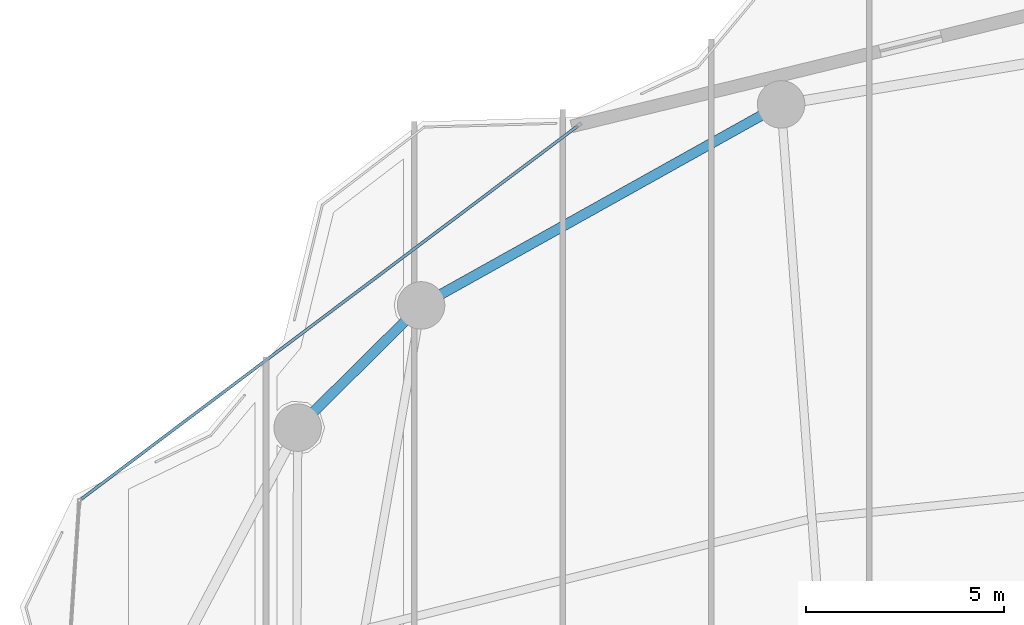
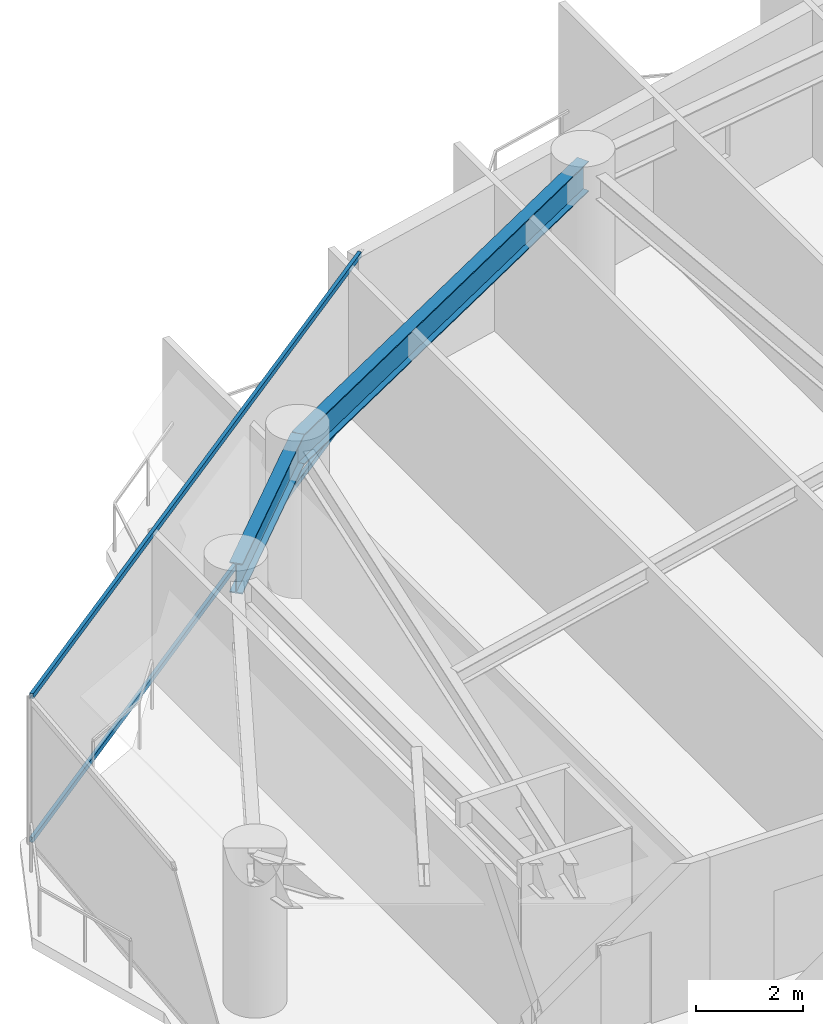
# One storey, part 17 of 31: 2 beams, 2 members, 1 element without a shape of its own.
"""IFC4 building model written with IfcOpenShell, lengths in metres."""

from ifc_helpers import new_model, si_unit, direction, frame, origin, origin_2d, place, context, subcontext, project, spatial, hollow_rectangle, i_section, extrude, material, layer, layer_set, material_profile, profile_set, type_object, element, aggregate, save


model = new_model("IFC4")

# Units and contexts
model_context = context("Model", 3, precision=1e-05, world=origin(), true_north=direction((0.0, 1.0)))
body_context = subcontext(model_context, "Body", "Model", "MODEL_VIEW")
ifc_project = project(units=[si_unit("LENGTHUNIT", "METRE"), si_unit("AREAUNIT", "SQUARE_METRE"), si_unit("VOLUMEUNIT", "CUBIC_METRE"), si_unit("PLANEANGLEUNIT", "RADIAN"), si_unit("MASSUNIT", "GRAM", prefix="KILO")], contexts=[model_context])

# Site, building, storey
site_placement = place(None, origin())
site = spatial("IfcSite", under=ifc_project, at=site_placement, CompositionType="ELEMENT")
building_placement = place(site_placement, origin())
building = spatial("IfcBuilding", under=site, at=building_placement, Name="Kazevale Care Tower and Concert Hall", CompositionType="ELEMENT")
storey_placement = place(building_placement, frame((0.0, 0.0, 124.199951171875)))
storey = spatial("IfcBuildingStorey", under=building, at=storey_placement, Name="L32", CompositionType="ELEMENT", Elevation=124.199951171875)

# Curtain wall, members
ifc_material_1 = material(Name="Aluminium 6063-T6 and Low-E Glass", Category="aluminium")
ifc_layer = layer(ifc_material_1, 0.179931640625)
ifc_layer_set = layer_set([ifc_layer], Name="Aluminium 6063-T6 and Low-E Glass")
curtain_wall_type = type_object("IfcCurtainWallType", Name="Convex Recessed Sunroom Curtain Wall CW-3", PredefinedType="NOTDEFINED", material=ifc_layer_set)
curtain_wall_placement = place(storey_placement, origin())
curtain_wall = element("IfcCurtainWall", 1, at=curtain_wall_placement, inside=storey, type_object=curtain_wall_type, Name="cw:L32:f14", PredefinedType="NOTDEFINED")
ifc_material_2 = material(Name="Aluminium 6063-T6", Category="aluminium")
ifc_material_profile_1 = material_profile(ifc_material_2, hollow_rectangle(XDim=0.074951171875, YDim=0.1201171875, WallThickness=0.00390625, at=origin_2d()), Name="ALU75x120x4")
ifc_profile_set_1 = profile_set([ifc_material_profile_1], Name="Aluminium 6063-T6")
member_type = type_object("IfcMemberType", Name="CW-3 Transom ALU75x120x4", PredefinedType="USERDEFINED", material=ifc_profile_set_1)
member_1_placement = place(storey_placement, frame((16.5888671875, 49.68994140625, 0.03759765625), z_axis=(0.79939444404, 0.600806560249, 0.0), x_axis=(-0.600806560249, 0.79939444404, 0.0)))
member_1 = element("IfcMember", 2, at=member_1_placement, type_object=member_type, Name="CW-3 transom 1.1", ObjectType="TRANSOM", PredefinedType="USERDEFINED", context=body_context, shape_type="SweptSolid", body=[
    extrude(hollow_rectangle(XDim=0.074951171875, YDim=0.1201171875, WallThickness=0.00390625, at=origin_2d()), origin(), (0.0, 0.0, 1.0), 15.685791015625),
])
member_2_placement = place(storey_placement, frame((16.5888671875, 49.68994140625, 3.322509765625), z_axis=(0.79939444404, 0.600806560249, 0.0), x_axis=(-0.600806560249, 0.79939444404, 0.0)))
member_2 = element("IfcMember", 3, at=member_2_placement, type_object=member_type, Name="CW-3 transom 1.2", ObjectType="TRANSOM", PredefinedType="USERDEFINED", context=body_context, shape_type="SweptSolid", body=[
    extrude(hollow_rectangle(XDim=0.074951171875, YDim=0.1201171875, WallThickness=0.00390625, at=origin_2d()), origin(), (0.0, 0.0, 1.0), 15.685791015625),
])
aggregate(curtain_wall, [member_1, member_2])

# Beams
ifc_material_3 = material(Name="Steel ASTM A572 Gr 50", Category="steel")
ifc_material_profile_2 = material_profile(ifc_material_3, i_section(OverallWidth=0.256103515625, OverallDepth=0.693115234375, WebThickness=0.014404296875, FlangeThickness=0.023681640625, at=origin_2d()), Name="W690x170")
ifc_profile_set_2 = profile_set([ifc_material_profile_2], Name="Steel ASTM A572 Gr 50")
beam_type = type_object("IfcBeamType", Name="Waist Ring Beam W690x170", PredefinedType="BEAM", material=ifc_profile_set_2)
beam_1_placement = place(storey_placement, frame((34.27001953125, 59.659912109375, 3.013427734375), z_axis=(-0.873168720251, -0.487418081297, 0.0), x_axis=(0.487418081297, -0.873168720251, 0.0)))
element("IfcBeam", 4, at=beam_1_placement, inside=storey, type_object=beam_type, Name="beam:L32:ring:06", PredefinedType="BEAM", context=body_context, shape_type="SweptSolid", body=[
    extrude(i_section(OverallWidth=0.256103515625, OverallDepth=0.693115234375, WebThickness=0.014404296875, FlangeThickness=0.023681640625, at=origin_2d()), origin(), (0.0, 0.0, 1.0), 10.421875),
])
beam_2_placement = place(storey_placement, frame((25.169921875, 54.580078125, 3.013427734375), z_axis=(-0.710490141585, -0.703707154085, 0.0), x_axis=(0.703707154085, -0.710490141585, 0.0)))
element("IfcBeam", 5, at=beam_2_placement, inside=storey, type_object=beam_type, Name="beam:L32:ring:07", PredefinedType="BEAM", context=body_context, shape_type="SweptSolid", body=[
    extrude(i_section(OverallWidth=0.256103515625, OverallDepth=0.693115234375, WebThickness=0.014404296875, FlangeThickness=0.023681640625, at=origin_2d()), origin(), (0.0, 0.0, 1.0), 4.39111328125),
])

save(model, "model.ifc")
